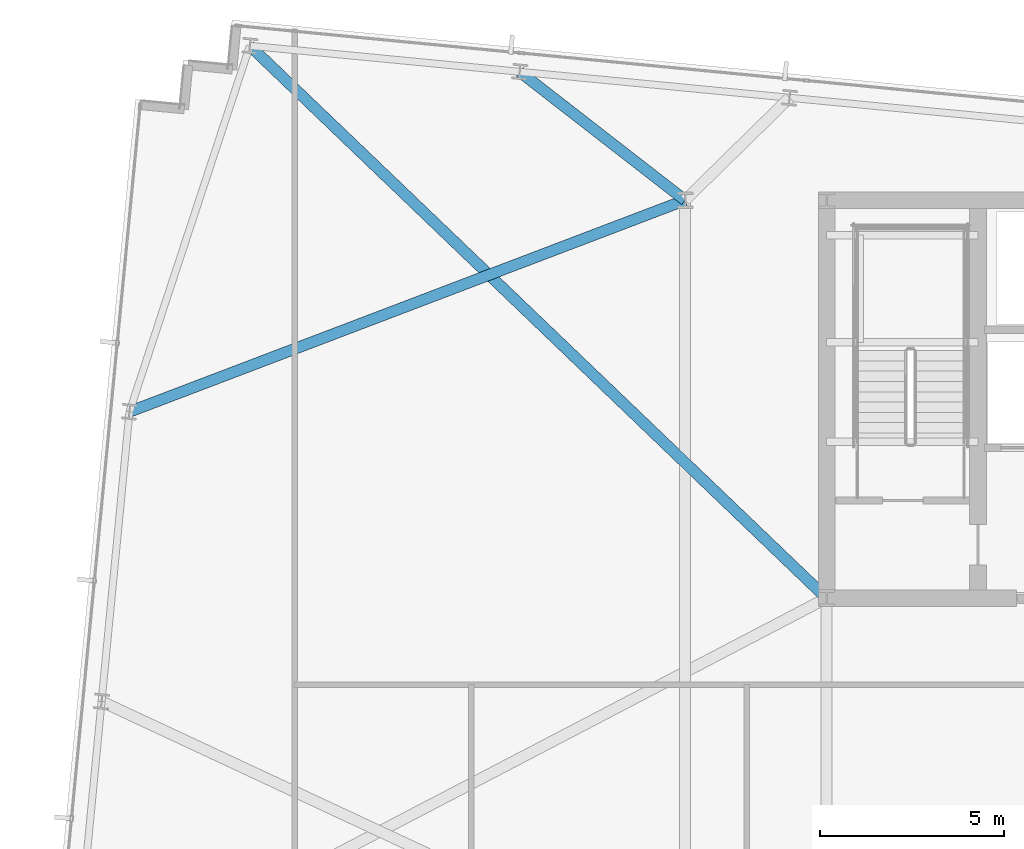
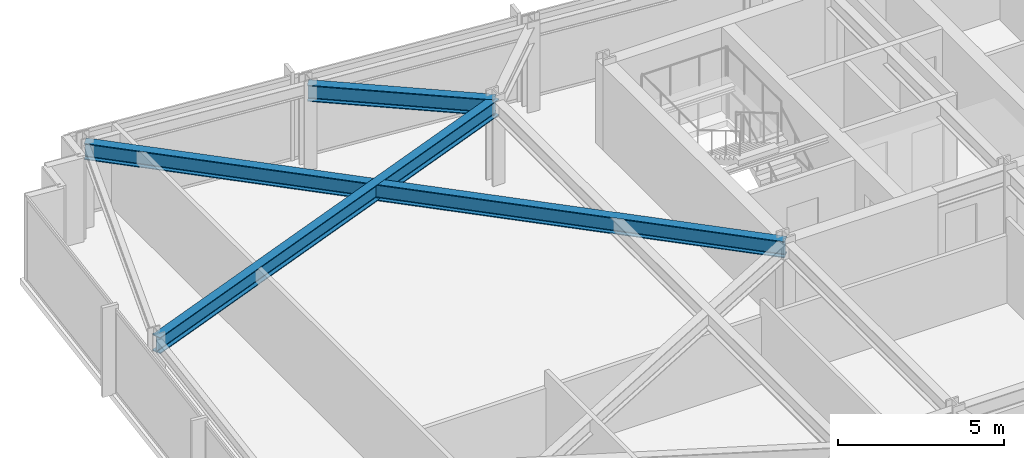
# One storey, part 22 of 37: 3 beams.
"""IFC4 building model written with IfcOpenShell, lengths in metres."""

from ifc_helpers import new_model, si_unit, direction, frame, origin, origin_2d, place, context, subcontext, project, spatial, i_section, extrude, material, material_profile, profile_set, type_object, element, save


model = new_model("IFC4")

# Units and contexts
model_context = context("Model", 3, precision=1e-05, world=origin(), true_north=direction((0.0, 1.0)))
body_context = subcontext(model_context, "Body", "Model", "MODEL_VIEW")
ifc_project = project(units=[si_unit("LENGTHUNIT", "METRE"), si_unit("AREAUNIT", "SQUARE_METRE"), si_unit("VOLUMEUNIT", "CUBIC_METRE"), si_unit("PLANEANGLEUNIT", "RADIAN"), si_unit("MASSUNIT", "GRAM", prefix="KILO")], contexts=[model_context])

# Site, building, storey
site_placement = place(None, origin())
site = spatial("IfcSite", under=ifc_project, at=site_placement, CompositionType="ELEMENT")
building_placement = place(site_placement, origin())
building = spatial("IfcBuilding", under=site, at=building_placement, Name="Yelkora Congress Tower", CompositionType="ELEMENT")
storey_placement = place(building_placement, frame((0.0, 0.0, 165.5)))
storey = spatial("IfcBuildingStorey", under=building, at=storey_placement, Name="L45", CompositionType="ELEMENT", Elevation=165.5)

# Beams
ifc_material = material(Name="Steel S355J2", Category="steel")
ifc_material_profile = material_profile(ifc_material, i_section(OverallWidth=0.300048828125, OverallDepth=0.60009765625, WebThickness=0.015380859375, FlangeThickness=0.030029296875, FilletRadius=0.027099609375, at=origin_2d()), Name="HEB 600")
ifc_profile_set = profile_set([ifc_material_profile], Name="Steel S355J2")
beam_type = type_object("IfcBeamType", Name="BM-GIRD-HEB600", PredefinedType="BEAM", material=ifc_profile_set)
beam_1_placement = place(storey_placement, frame((7.388916015625, 50.390625, 2.780029296875), z_axis=(0.722178809531, -0.691706416816, 0.0), x_axis=(0.691706416816, 0.722178809531, 0.0)))
element("IfcBeam", 1, at=beam_1_placement, inside=storey, type_object=beam_type, Name="L45 Primary Frame Girder N01", PredefinedType="BEAM", context=body_context, shape_type="SweptSolid", body=[
    extrude(i_section(OverallWidth=0.300048828125, OverallDepth=0.60009765625, WebThickness=0.015380859375, FlangeThickness=0.030029296875, FilletRadius=0.027099609375, at=origin_2d()), origin(), (0.0, 0.0, 1.0), 21.672119140625),
])
beam_2_placement = place(storey_placement, frame((14.712158203125, 49.685546875, 2.780029296875), z_axis=(0.789770770989, -0.6134020943, 0.0), x_axis=(0.6134020943, 0.789770770989, 0.0)))
element("IfcBeam", 2, at=beam_2_placement, inside=storey, type_object=beam_type, Name="L45 Primary Frame Girder N02", PredefinedType="BEAM", context=body_context, shape_type="SweptSolid", body=[
    extrude(i_section(OverallWidth=0.300048828125, OverallDepth=0.60009765625, WebThickness=0.015380859375, FlangeThickness=0.030029296875, FilletRadius=0.027099609375, at=origin_2d()), origin(), (0.0, 0.0, 1.0), 5.682373046875),
])
beam_3_placement = place(storey_placement, frame((4.121826171875, 40.4580078125, 2.780029296875), z_axis=(0.934531115392, 0.355881433013, 0.0), x_axis=(-0.355881433013, 0.934531115392, 0.0)))
element("IfcBeam", 3, at=beam_3_placement, inside=storey, type_object=beam_type, Name="L45 Primary Frame Girder W03", PredefinedType="BEAM", context=body_context, shape_type="SweptSolid", body=[
    extrude(i_section(OverallWidth=0.300048828125, OverallDepth=0.60009765625, WebThickness=0.015380859375, FlangeThickness=0.030029296875, FilletRadius=0.027099609375, at=origin_2d()), origin(), (0.0, 0.0, 1.0), 16.134521484375),
])

save(model, "model.ifc")
